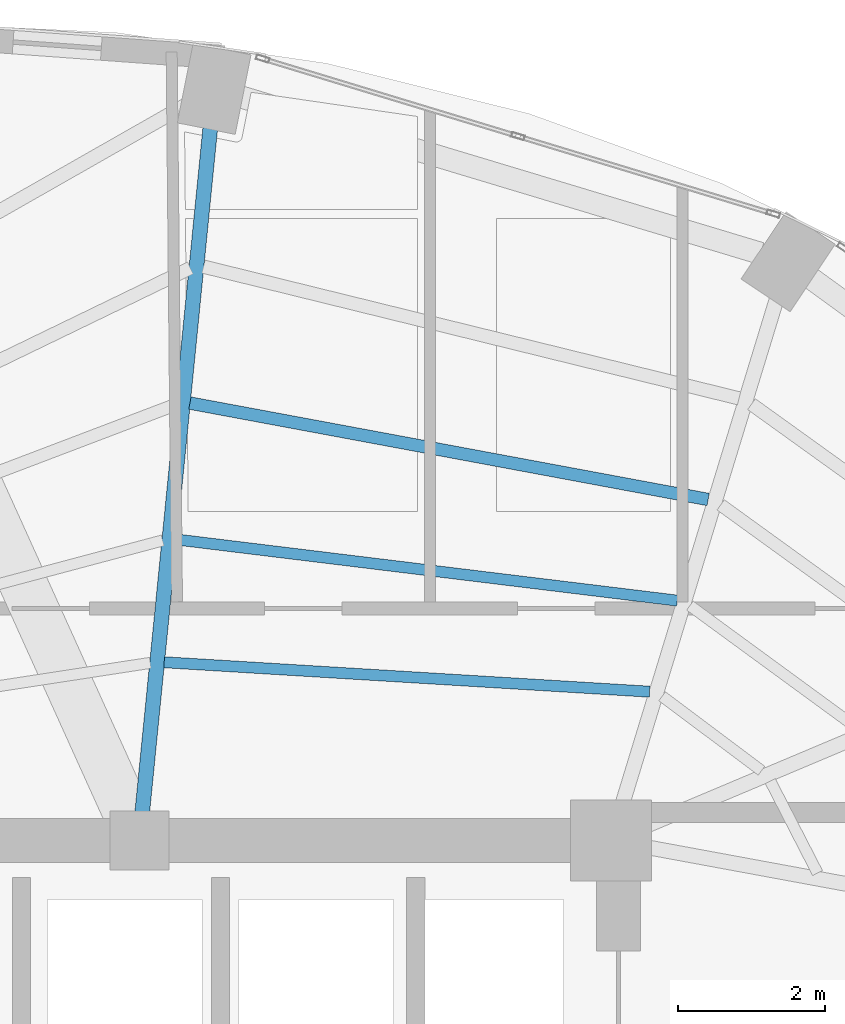
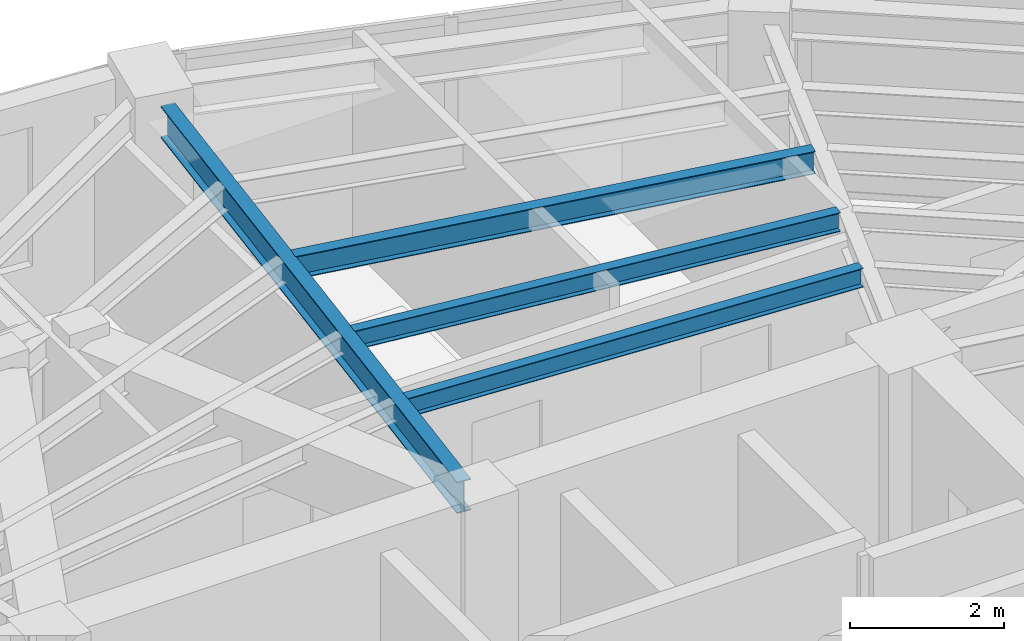
# One storey, part 10 of 21: 4 beams.
"""IFC4 building model written with IfcOpenShell, lengths in metres."""

import ifcopenshell
import ifcopenshell.guid

model = None  # the IFC model being written
_history = None  # IfcOwnerHistory: only IFC2X3 demands one
_inside = {}  # id of a spatial element -> (the spatial element, [elements in it])
_under = {}  # id of a project, library or spatial element -> (it, [spatial elements below it])
_declared = {}  # id of a project -> (the project, [libraries it declares])
_typed = {}  # id of a type object -> (the type object, [elements of that type])
_made_of = {}  # id of a material, layer set ... -> (it, [elements and type objects made of it])


def new_model(schema):
    """Start an empty IFC model of exactly this schema.

    Asked for "IFC4X3", IfcOpenShell would pick the latest addendum, in which some entities
    have other attributes; the version numbers below select the first issue.
    IFC2X3 requires an IfcOwnerHistory on every rooted entity: one is made here for all.
    """
    global model, _history
    if schema == "IFC4X3":
        model = ifcopenshell.file(schema_version=(4, 3, 0, 0))
    else:
        model = ifcopenshell.file(schema=schema)
    _inside.clear()
    _under.clear()
    _declared.clear()
    _typed.clear()
    _made_of.clear()
    _history = None
    if model.schema == "IFC2X3":
        org = make("IfcOrganization", Name="unknown")
        user = make(
            "IfcPersonAndOrganization",
            ThePerson=make("IfcPerson", FamilyName="unknown"),
            TheOrganization=org,
        )
        app = make(
            "IfcApplication",
            ApplicationDeveloper=org,
            Version="unknown",
            ApplicationFullName="unknown",
            ApplicationIdentifier="unknown",
        )
        _history = make(
            "IfcOwnerHistory",
            OwningUser=user,
            OwningApplication=app,
            ChangeAction="ADDED",
            CreationDate=0,
        )
    return model


def make(cls, **values):
    """One entity of the class cls with the attributes given. An attribute that is None is left unset."""
    return model.create_entity(
        cls, **{name: value for name, value in values.items() if value is not None}
    )


def rooted(cls, **values):
    """An entity with a GlobalId (a new one), such as an element, a storey or a relation."""
    return make(cls, GlobalId=ifcopenshell.guid.new(), OwnerHistory=_history, **values)


def si_unit(unit_type, name, prefix=None):
    """IfcSIUnit, for example si_unit("LENGTHUNIT", "METRE", prefix="MILLI")."""
    return make("IfcSIUnit", UnitType=unit_type, Prefix=prefix, Name=name)


def assignment(units):
    """IfcUnitAssignment: the units of a project."""
    return None if units is None else make("IfcUnitAssignment", Units=units)


def point(xyz):
    """IfcCartesianPoint."""
    return None if xyz is None else make("IfcCartesianPoint", Coordinates=xyz)


def direction(xyz):
    """IfcDirection."""
    return None if xyz is None else make("IfcDirection", DirectionRatios=xyz)


def frame(location, z_axis=None, x_axis=None):
    """IfcAxis2Placement3D, a coordinate frame: its origin and axes. An axis left out is left unset."""
    return make(
        "IfcAxis2Placement3D",
        Location=point(location),
        Axis=direction(z_axis),
        RefDirection=direction(x_axis),
    )


def frame_2d(location, x_axis=None):
    """IfcAxis2Placement2D, a coordinate frame in the plane: its origin and x axis."""
    return make(
        "IfcAxis2Placement2D", Location=point(location), RefDirection=direction(x_axis)
    )


def origin():
    """The frame at (0, 0, 0) with its axes left unset."""
    return frame((0.0, 0.0, 0.0))


def origin_2d():
    """The frame at (0, 0) in the plane with its x axis left unset."""
    return frame_2d((0.0, 0.0))


def place(relative_to, where):
    """IfcLocalPlacement: puts the frame where relative to a parent placement (None: the world)."""
    return make(
        "IfcLocalPlacement", PlacementRelTo=relative_to, RelativePlacement=where
    )


def context(
    kind, dimensions, precision=None, world=None, true_north=None, identifier=None
):
    """IfcGeometricRepresentationContext, for example the 3D "Model" context."""
    return make(
        "IfcGeometricRepresentationContext",
        ContextIdentifier=identifier,
        ContextType=kind,
        CoordinateSpaceDimension=dimensions,
        Precision=precision,
        WorldCoordinateSystem=world,
        TrueNorth=true_north,
    )


def subcontext(parent, identifier, kind, view, scale=None):
    """IfcGeometricRepresentationSubContext, for example "Body" below "Model"."""
    return make(
        "IfcGeometricRepresentationSubContext",
        ContextIdentifier=identifier,
        ContextType=kind,
        ParentContext=parent,
        TargetScale=scale,
        TargetView=view,
    )


def project(units=None, contexts=None):
    """IfcProject with its units and contexts."""
    return rooted(
        "IfcProject",
        Name="project",
        RepresentationContexts=contexts,
        UnitsInContext=assignment(units),
    )


def spatial(cls, under=None, at=None, **own):
    """A site, building, storey or space (cls), placed at a placement, below another one or the project."""
    s = rooted(cls, ObjectPlacement=at, **own)
    if under is not None:
        _under.setdefault(under.id(), (under, []))[1].append(s)
    return s


def profile(cls, at=None, kind="AREA", **sizes):
    """A parametric profile (cls). Its sizes go by their IFC names, for example OverallWidth=200.0."""
    return make(cls, ProfileType=kind, Position=at, **sizes)


def i_section(**sizes):
    """IfcIShapeProfileDef."""
    return profile("IfcIShapeProfileDef", **sizes)


def extrude(swept, where, along, depth):
    """IfcExtrudedAreaSolid: the profile swept, set in the frame where, extruded along a direction by depth."""
    return make(
        "IfcExtrudedAreaSolid",
        SweptArea=swept,
        Position=where,
        ExtrudedDirection=direction(along),
        Depth=depth,
    )


def shape(context_of_items, identifier, shape_type, items):
    """IfcShapeRepresentation: the items that make up one representation, for example the "Body"."""
    return make(
        "IfcShapeRepresentation",
        ContextOfItems=context_of_items,
        RepresentationIdentifier=identifier,
        RepresentationType=shape_type,
        Items=items,
    )


def material(Name=None, Category=None):
    """IfcMaterial."""
    return make("IfcMaterial", Name=Name, Category=Category)


def material_profile(
    of_material, cross_section, Name=None, Category=None, Priority=None
):
    """IfcMaterialProfile: a cross section and its material."""
    return make(
        "IfcMaterialProfile",
        Name=Name,
        Material=of_material,
        Profile=cross_section,
        Priority=Priority,
        Category=Category,
    )


def profile_set(profiles, Name=None, composite=None):
    """IfcMaterialProfileSet."""
    return make(
        "IfcMaterialProfileSet",
        Name=Name,
        MaterialProfiles=profiles,
        CompositeProfile=composite,
    )


def made_of(thing, what):
    """Note that an element or type object is made of a material, layer set ...; save() writes the relation."""
    if what is not None:
        _made_of.setdefault(what.id(), (what, []))[1].append(thing)
    return thing


def type_object(cls, material=None, **own):
    """A type object (cls), such as IfcWallType, which elements share."""
    return made_of(rooted(cls, **own), material)


def element(
    cls,
    number,
    at=None,
    inside=None,
    cuts=None,
    type_object=None,
    material=None,
    context=None,
    identifier="Body",
    shape_type=None,
    held_by="IfcProductDefinitionShape",
    body=None,
    shapes=None,
    **own,
):
    """One element of the class cls, such as IfcWall. Its Tag is "e" and its number.

    at: its placement. inside: the storey or other place that contains it. cuts: it is an
    opening in that element (IfcRelVoidsElement). A single representation is given by context,
    identifier, shape_type and body (its items); several are given by shapes. held_by: the class
    of the entity that holds the representations. save() writes the other relations.
    """
    e = rooted(cls, Tag="e%d" % number, ObjectPlacement=at, **own)
    if body is not None:
        shapes = [shape(context, identifier, shape_type, body)]
    if shapes is not None:
        e.Representation = make(held_by, Representations=shapes)
    if inside is not None:
        _inside.setdefault(inside.id(), (inside, []))[1].append(e)
    if cuts is not None:
        rooted(
            "IfcRelVoidsElement", RelatingBuildingElement=cuts, RelatedOpeningElement=e
        )
    if type_object is not None:
        _typed.setdefault(type_object.id(), (type_object, []))[1].append(e)
    return made_of(e, material)


def aggregate(whole, parts):
    """IfcRelAggregates: a whole, such as a stair, and the parts it consists of."""
    return rooted("IfcRelAggregates", RelatingObject=whole, RelatedObjects=parts)


def save(model, path):
    """Write the relations noted so far, then the file.

    IfcRelAggregates (storeys below a building ...), IfcRelContainedInSpatialStructure (elements
    in a storey), IfcRelDefinesByType, IfcRelAssociatesMaterial and IfcRelDeclares: one each for
    every whole, place, type object, material and project.
    """
    for whole, parts in _under.values():
        aggregate(whole, parts)
    for where, things in _inside.values():
        rooted(
            "IfcRelContainedInSpatialStructure",
            RelatedElements=things,
            RelatingStructure=where,
        )
    for kind, things in _typed.values():
        rooted("IfcRelDefinesByType", RelatedObjects=things, RelatingType=kind)
    for what, things in _made_of.values():
        rooted("IfcRelAssociatesMaterial", RelatedObjects=things, RelatingMaterial=what)
    for by, libraries in _declared.values():
        rooted("IfcRelDeclares", RelatingContext=by, RelatedDefinitions=libraries)
    model.write(path)


model = new_model("IFC4")

# Units and contexts
model_context = context("Model", 3, precision=1e-05, world=origin(), true_north=direction((0.0, 1.0)))
body_context = subcontext(model_context, "Body", "Model", "MODEL_VIEW")
ifc_project = project(units=[si_unit("LENGTHUNIT", "METRE"), si_unit("AREAUNIT", "SQUARE_METRE"), si_unit("VOLUMEUNIT", "CUBIC_METRE"), si_unit("PLANEANGLEUNIT", "RADIAN"), si_unit("MASSUNIT", "GRAM", prefix="KILO")], contexts=[model_context])

# Site, building, storey
site_placement = place(None, origin())
site = spatial("IfcSite", under=ifc_project, at=site_placement, CompositionType="ELEMENT")
building_placement = place(site_placement, origin())
building = spatial("IfcBuilding", under=site, at=building_placement, Name="Lazwardi Medical Tower", CompositionType="ELEMENT")
storey_placement = place(building_placement, frame((0.0, 0.0, 216.719970703125)))
storey = spatial("IfcBuildingStorey", under=building, at=storey_placement, Name="L56", CompositionType="ELEMENT", Elevation=216.719970703125)

# Beams
ifc_material = material(Name="Steel S355", Category="steel")
ifc_material_profile_1 = material_profile(ifc_material, i_section(OverallWidth=0.199951171875, OverallDepth=0.5, WebThickness=0.01025390625, FlangeThickness=0.01611328125, at=origin_2d()), Name="IPE 500")
ifc_profile_set_1 = profile_set([ifc_material_profile_1], Name="Steel S355")
beam_type_1 = type_object("IfcBeamType", Name="BM-RG-W3", PredefinedType="BEAM", material=ifc_profile_set_1)
beam_1_placement = place(storey_placement, frame((40.1611328125, 45.265869140625, 3.197998046875), z_axis=(-0.098954361922, -0.995091972763, 0.0), x_axis=(0.995091972763, -0.098954361922, 0.0)))
element("IfcBeam", 1, at=beam_1_placement, inside=storey, type_object=beam_type_1, Name="Radial girder RG-04 R08 L56", PredefinedType="BEAM", context=body_context, shape_type="SweptSolid", body=[
    extrude(i_section(OverallWidth=0.199951171875, OverallDepth=0.5, WebThickness=0.01025390625, FlangeThickness=0.01611328125, at=origin_2d()), origin(), (0.0, 0.0, 1.0), 9.32861328125),
])
ifc_material_profile_2 = material_profile(ifc_material, i_section(OverallWidth=0.169921875, OverallDepth=0.360107421875, WebThickness=0.008056640625, FlangeThickness=0.0126953125, at=origin_2d()), Name="IPE 360")
ifc_profile_set_2 = profile_set([ifc_material_profile_2], Name="Steel S355")
beam_type_2 = type_object("IfcBeamType", Name="BM-SJ-02", PredefinedType="JOIST", material=ifc_profile_set_2)
beam_2_placement = place(storey_placement, frame((46.91552734375, 40.2275390625, 3.26806640625), z_axis=(-0.983132476587, 0.182894870019, 0.0), x_axis=(-0.182894870019, -0.983132476587, 0.0)))
element("IfcBeam", 2, at=beam_2_placement, inside=storey, type_object=beam_type_2, Name="Secondary joist SJ-02 R2 B07 L56", PredefinedType="JOIST", context=body_context, shape_type="SweptSolid", body=[
    extrude(i_section(OverallWidth=0.169921875, OverallDepth=0.360107421875, WebThickness=0.008056640625, FlangeThickness=0.0126953125, at=origin_2d()), origin(), (0.0, 0.0, 1.0), 7.15087890625),
])
ifc_material_profile_3 = material_profile(ifc_material, i_section(OverallWidth=0.14990234375, OverallDepth=0.300048828125, WebThickness=0.007080078125, FlangeThickness=0.0107421875, at=origin_2d()), Name="IPE 300")
ifc_profile_set_3 = profile_set([ifc_material_profile_3], Name="Steel S355")
beam_type_3 = type_object("IfcBeamType", Name="BM-SJ-03", PredefinedType="JOIST", material=ifc_profile_set_3)
beam_3_placement = place(storey_placement, frame((46.4970703125, 38.85546875, 3.298095703125), z_axis=(-0.992634689535, 0.121146081783, 0.0), x_axis=(-0.121146081783, -0.992634689535, 0.0)))
element("IfcBeam", 3, at=beam_3_placement, inside=storey, type_object=beam_type_3, Name="Secondary joist SJ-03 R3 B07 L56", PredefinedType="JOIST", context=body_context, shape_type="SweptSolid", body=[
    extrude(i_section(OverallWidth=0.14990234375, OverallDepth=0.300048828125, WebThickness=0.007080078125, FlangeThickness=0.0107421875, at=origin_2d()), origin(), (0.0, 0.0, 1.0), 6.845947265625),
])
beam_4_placement = place(storey_placement, frame((46.120849609375, 37.6201171875, 3.298095703125), z_axis=(-0.998165515862, 0.060544223044, 0.0), x_axis=(-0.060544223044, -0.998165515862, 0.0)))
element("IfcBeam", 4, at=beam_4_placement, inside=storey, type_object=beam_type_3, Name="Secondary joist SJ-03 R4 B07 L56", PredefinedType="JOIST", context=body_context, shape_type="SweptSolid", body=[
    extrude(i_section(OverallWidth=0.14990234375, OverallDepth=0.300048828125, WebThickness=0.007080078125, FlangeThickness=0.0107421875, at=origin_2d()), origin(), (0.0, 0.0, 1.0), 6.59716796875),
])

save(model, "model.ifc")
